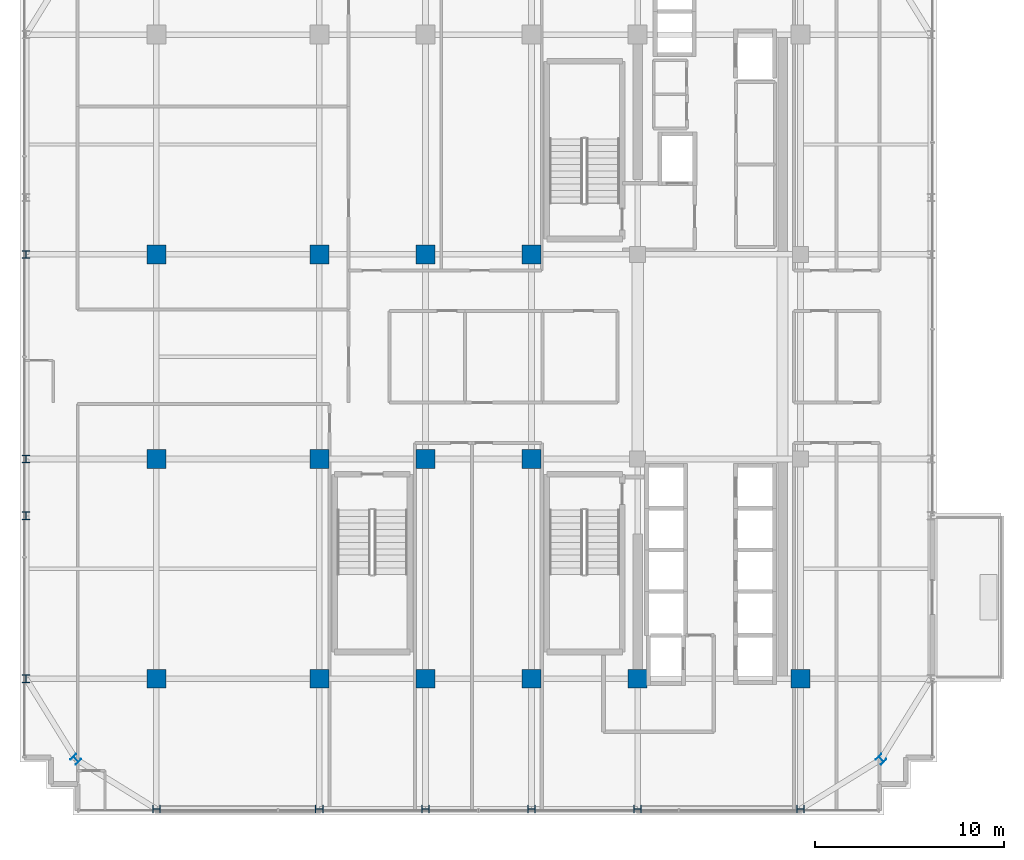
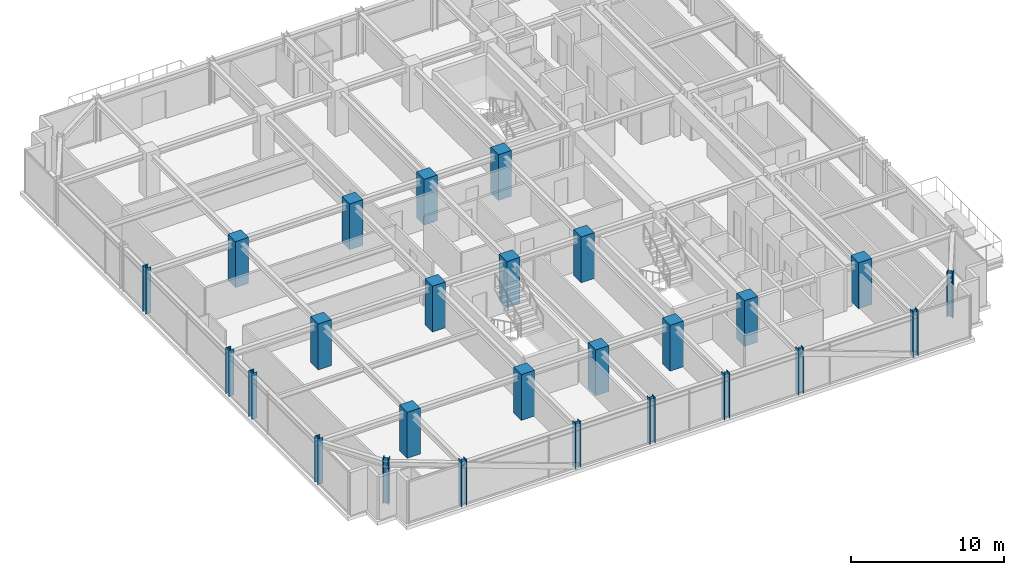
# One storey, part 1 of 36: 26 columns.
"""IFC4 building model written with IfcOpenShell, lengths in metres."""

from ifc_helpers import new_model, si_unit, direction, frame, origin, origin_2d, place, context, subcontext, project, spatial, rectangle, i_section, extrude, source, transform, mapped, material, material_profile, profile_set, type_object, element, save


model = new_model("IFC4")

# Units and contexts
model_context = context("Model", 3, precision=1e-05, world=origin(), true_north=direction((0.0, 1.0)))
body_context = subcontext(model_context, "Body", "Model", "MODEL_VIEW")
ifc_project = project(units=[si_unit("LENGTHUNIT", "METRE"), si_unit("AREAUNIT", "SQUARE_METRE"), si_unit("VOLUMEUNIT", "CUBIC_METRE"), si_unit("PLANEANGLEUNIT", "RADIAN"), si_unit("MASSUNIT", "GRAM", prefix="KILO")], contexts=[model_context])

# Site, building, storey
site_placement = place(None, origin())
site = spatial("IfcSite", under=ifc_project, at=site_placement, CompositionType="ELEMENT")
building_placement = place(site_placement, origin())
building = spatial("IfcBuilding", under=site, at=building_placement, Name="Nahalor Promenade Grand Hotel", CompositionType="ELEMENT")
storey_placement = place(building_placement, frame((0.0, 0.0, 219.699951171875)))
storey = spatial("IfcBuildingStorey", under=building, at=storey_placement, Name="L56", CompositionType="ELEMENT", Elevation=219.699951171875)

# Columns
ifc_material_1 = material(Name="Concrete B-60 (C50/60)", Category="concrete")
ifc_material_profile_1 = material_profile(ifc_material_1, rectangle(XDim=1.0, YDim=1.0, at=origin_2d()), Name="RC 1000x1000")
ifc_profile_set_1 = profile_set([ifc_material_profile_1], Name="Concrete B-60 (C50/60)")
column_type_1 = type_object("IfcColumnType", Name="Col-RC-1000", PredefinedType="COLUMN", material=ifc_profile_set_1)
shared_shape_1 = source(origin(), body_context, "Body", "SweptSolid", [
    extrude(rectangle(XDim=1.0, YDim=1.0, at=origin_2d()), origin(), (0.0, 0.0, 1.0), 3.655029296875),
])
for number, where, z_axis, x_axis, name in (
    (1, (-17.0, -17.0, 0.0), (0.0, 0.0, 1.0), (1.0, 0.0, 0.0), "COL-L56-I00"),
    (2, (-17.0, -5.39990234375, 0.0), (0.0, 0.0, 1.0), (1.0, 0.0, 0.0), "COL-L56-I01"),
    (3, (-17.0, 5.39990234375, 0.0), (0.0, 0.0, 1.0), (1.0, 0.0, 0.0), "COL-L56-I02"),
    (4, (-8.39990234375, -17.0, 0.0), (0.0, 0.0, 1.0), (1.0, 0.0, 0.0), "COL-L56-I10"),
    (5, (-8.39990234375, -5.39990234375, 0.0), (0.0, 0.0, 1.0), (1.0, 0.0, 0.0), "COL-L56-I11"),
    (6, (-8.39990234375, 5.39990234375, 0.0), (0.0, 0.0, 1.0), (1.0, 0.0, 0.0), "COL-L56-I12"),
    (7, (-2.800048828125, -17.0, 0.0), (0.0, 0.0, 1.0), (1.0, 0.0, 0.0), "COL-L56-I20"),
    (8, (-2.800048828125, -5.39990234375, 0.0), (0.0, 0.0, 1.0), (1.0, 0.0, 0.0), "COL-L56-I21"),
    (9, (-2.800048828125, 5.39990234375, 0.0), (0.0, 0.0, 1.0), (1.0, 0.0, 0.0), "COL-L56-I22"),
    (10, (2.800048828125, -17.0, 0.0), (0.0, 0.0, 1.0), (1.0, 0.0, 0.0), "COL-L56-I30"),
    (11, (2.800048828125, -5.39990234375, 0.0), (0.0, 0.0, 1.0), (1.0, 0.0, 0.0), "COL-L56-I31"),
    (12, (2.800048828125, 5.39990234375, 0.0), (0.0, 0.0, 1.0), (1.0, 0.0, 0.0), "COL-L56-I32"),
    (13, (8.39990234375, -17.0, 0.0), (0.0, 0.0, 1.0), (1.0, 0.0, 0.0), "COL-L56-I40"),
    (14, (17.0, -17.0, 0.0), (0.0, 0.0, 1.0), (1.0, 0.0, 0.0), "COL-L56-I50"),
):
    element("IfcColumn", number, at=place(storey_placement, frame(where, z_axis=z_axis, x_axis=x_axis)), inside=storey, type_object=column_type_1, Name=name, PredefinedType="COLUMN", context=body_context, shape_type="MappedRepresentation", body=[
        mapped(shared_shape_1, transform((0.0, 0.0, 0.0), scale=1.0)),
    ])
ifc_material_2 = material(Name="Steel S355JR", Category="steel")
ifc_material_profile_2 = material_profile(ifc_material_2, i_section(OverallWidth=0.401, OverallDepth=0.406, WebThickness=0.0161, FlangeThickness=0.025, at=origin_2d()), Name="HD 400x314")
ifc_profile_set_2 = profile_set([ifc_material_profile_2], Name="Steel S355JR")
column_type_2 = type_object("IfcColumnType", Name="Col-Steel-HD314", PredefinedType="COLUMN", material=ifc_profile_set_2)
shared_shape_2 = source(origin(), body_context, "Body", "SweptSolid", [
    extrude(i_section(OverallWidth=0.401, OverallDepth=0.406, WebThickness=0.0161, FlangeThickness=0.025, at=origin_2d()), origin(), (0.0, 0.0, 1.0), 3.655029296875),
])
for number, where, z_axis, x_axis, name in (
    (15, (-23.8798828125, -17.0, 0.0), (0.0, 0.0, 1.0), (1.0, 0.0, 0.0), "COL-L56-PW-W0"),
    (16, (-23.8798828125, -8.39990234375, 0.0), (0.0, 0.0, 1.0), (1.0, 0.0, 0.0), "COL-L56-PW-W1"),
    (17, (-23.8798828125, -5.39990234375, 0.0), (0.0, 0.0, 1.0), (1.0, 0.0, 0.0), "COL-L56-PW-W2"),
    (18, (-23.8798828125, 5.39990234375, 0.0), (0.0, 0.0, 1.0), (1.0, 0.0, 0.0), "COL-L56-PW-W3"),
    (19, (-17.0, -23.8798828125, 0.0), (0.0, 0.0, 1.0), (0.0, 1.0, 0.0), "COL-L56-PN-S0"),
    (20, (-8.39990234375, -23.8798828125, 0.0), (0.0, 0.0, 1.0), (0.0, 1.0, 0.0), "COL-L56-PN-S1"),
    (21, (-2.800048828125, -23.8798828125, 0.0), (0.0, 0.0, 1.0), (0.0, 1.0, 0.0), "COL-L56-PN-S2"),
    (22, (2.800048828125, -23.8798828125, 0.0), (0.0, 0.0, 1.0), (0.0, 1.0, 0.0), "COL-L56-PN-S3"),
    (23, (8.39990234375, -23.8798828125, 0.0), (0.0, 0.0, 1.0), (0.0, 1.0, 0.0), "COL-L56-PN-S4"),
    (24, (17.0, -23.8798828125, 0.0), (0.0, 0.0, 1.0), (0.0, 1.0, 0.0), "COL-L56-PN-S5"),
    (25, (-21.25, -21.25, 0.0), (0.0, 0.0, 1.0), (0.707106781187, 0.707106781187, 0.0), "COL-L56-CRN-SW"),
    (26, (21.25, -21.25, 0.0), (0.0, 0.0, 1.0), (0.707106781187, 0.707106781187, 0.0), "COL-L56-CRN-SE"),
):
    element("IfcColumn", number, at=place(storey_placement, frame(where, z_axis=z_axis, x_axis=x_axis)), inside=storey, type_object=column_type_2, Name=name, PredefinedType="COLUMN", context=body_context, shape_type="MappedRepresentation", body=[
        mapped(shared_shape_2, transform((0.0, 0.0, 0.0), scale=1.0)),
    ])

save(model, "model.ifc")
